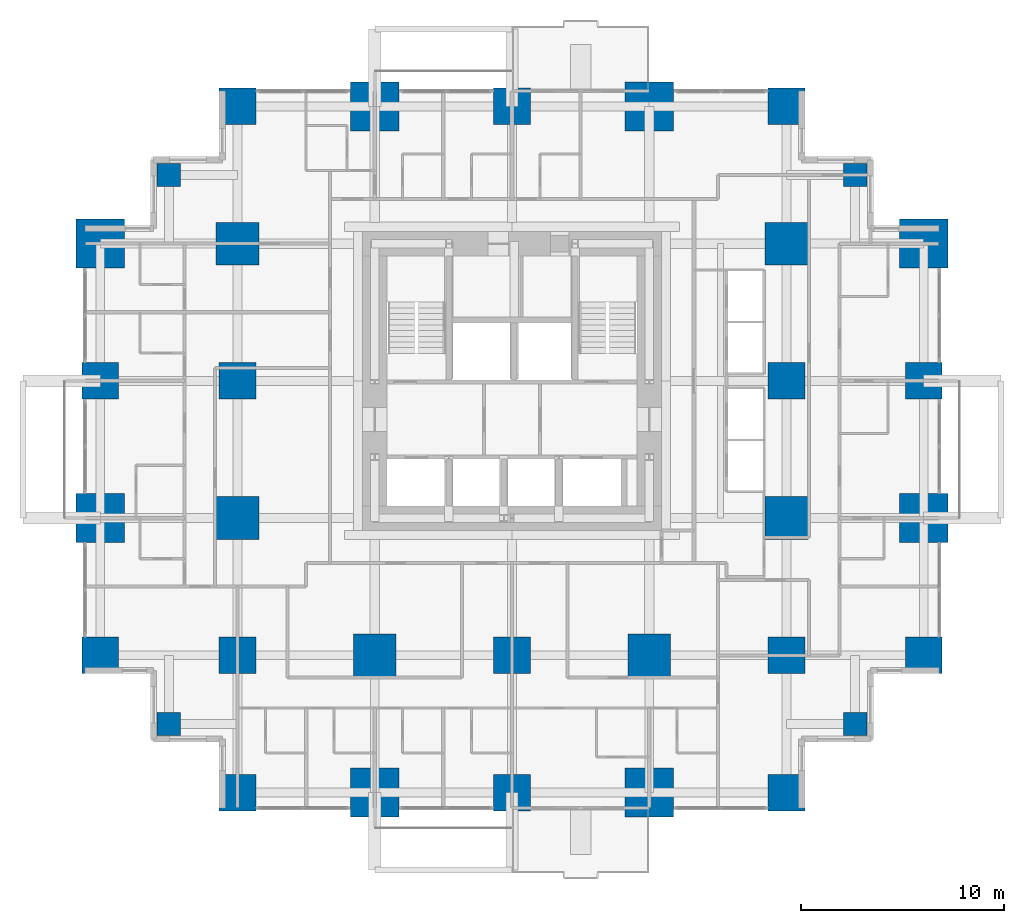
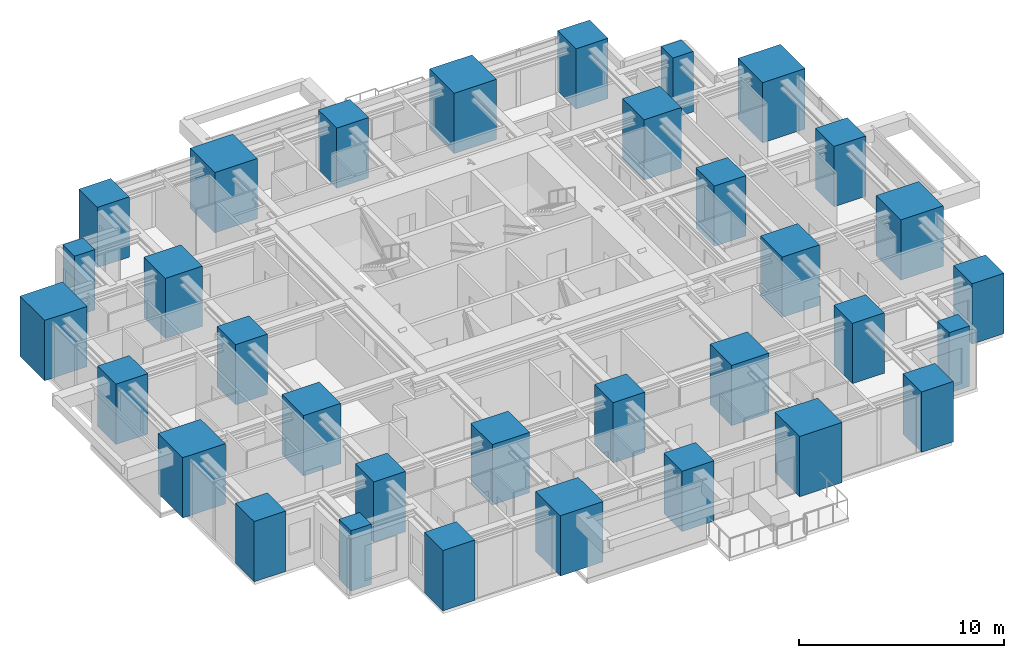
# One storey, part 1 of 13: 33 columns.
"""IFC4 building model written with IfcOpenShell, lengths in metres."""

from ifc_helpers import new_model, si_unit, direction, frame, origin, origin_2d, place, context, subcontext, project, spatial, rectangle, extrude, material, material_profile, profile_set, type_object, element, save


model = new_model("IFC4")

# Units and contexts
model_context = context("Model", 3, precision=1e-05, world=origin(), true_north=direction((0.0, 1.0)))
body_context = subcontext(model_context, "Body", "Model", "MODEL_VIEW")
ifc_project = project(units=[si_unit("LENGTHUNIT", "METRE"), si_unit("AREAUNIT", "SQUARE_METRE"), si_unit("VOLUMEUNIT", "CUBIC_METRE"), si_unit("PLANEANGLEUNIT", "RADIAN"), si_unit("MASSUNIT", "GRAM", prefix="KILO")], contexts=[model_context])

# Site, building, storey
site_placement = place(None, origin())
site = spatial("IfcSite", under=ifc_project, at=site_placement, CompositionType="ELEMENT")
building_placement = place(site_placement, origin())
building = spatial("IfcBuilding", under=site, at=building_placement, Name="Nyansa Garden Tower", CompositionType="ELEMENT")
storey_placement = place(building_placement, frame((0.0, 0.0, 83.699951171875)))
storey = spatial("IfcBuildingStorey", under=building, at=storey_placement, Name="L22", CompositionType="ELEMENT", Elevation=83.699951171875)

# Columns
ifc_material_1 = material(Name="Concrete C70/85", Category="concrete")
ifc_material_profile_1 = material_profile(ifc_material_1, rectangle(XDim=1.14990234375, YDim=1.14990234375, at=origin_2d()), Name="RC 1150x1150")
ifc_profile_set_1 = profile_set([ifc_material_profile_1], Name="Concrete C70/85")
column_type_1 = type_object("IfcColumnType", Name="Column C115 RC 1150x1150", PredefinedType="COLUMN", material=ifc_profile_set_1)
for number, where, z_axis, x_axis, name in (
    (1, (3.375, 3.375, 0.0), (0.0, 0.0, 1.0), (1.0, 0.0, 0.0), "Column x3.375/y3.375 L22"),
    (2, (3.375, 30.375, 0.0), (0.0, 0.0, 1.0), (1.0, 0.0, 0.0), "Column x3.375/y30.375 L22"),
    (3, (37.125, 3.375, 0.0), (0.0, 0.0, 1.0), (1.0, 0.0, 0.0), "Column x37.125/y3.375 L22"),
    (4, (37.125, 30.375, 0.0), (0.0, 0.0, 1.0), (1.0, 0.0, 0.0), "Column x37.125/y30.375 L22"),
):
    element("IfcColumn", number, at=place(storey_placement, frame(where, z_axis=z_axis, x_axis=x_axis)), inside=storey, type_object=column_type_1, Name=name, PredefinedType="COLUMN", context=body_context, shape_type="SweptSolid", body=[
        extrude(rectangle(XDim=1.14990234375, YDim=1.14990234375, at=origin_2d()), origin(), (0.0, 0.0, 1.0), 3.60009765625),
    ])
ifc_material_2 = material(Name="Concrete C80/95", Category="concrete")
ifc_material_profile_2 = material_profile(ifc_material_2, rectangle(XDim=1.800048828125, YDim=1.800048828125, at=origin_2d()), Name="RC 1800x1800")
ifc_profile_set_2 = profile_set([ifc_material_profile_2], Name="Concrete C80/95")
column_type_2 = type_object("IfcColumnType", Name="Column C180 RC 1800x1800", PredefinedType="COLUMN", material=ifc_profile_set_2)
for number, where, z_axis, x_axis, name in (
    (5, (0.0, 6.75, 0.0), (0.0, 0.0, 1.0), (1.0, 0.0, 0.0), "Column 2/E L22"),
    (6, (0.0, 20.25, 0.0), (0.0, 0.0, 1.0), (1.0, 0.0, 0.0), "Column 2/G L22"),
    (7, (6.75, 0.0, 0.0), (0.0, 0.0, 1.0), (1.0, 0.0, 0.0), "Column 3/D L22"),
    (8, (6.75, 6.75, 0.0), (0.0, 0.0, 1.0), (1.0, 0.0, 0.0), "Column 3/E L22"),
    (9, (6.75, 20.25, 0.0), (0.0, 0.0, 1.0), (1.0, 0.0, 0.0), "Column 3/G L22"),
    (10, (6.75, 33.75, 0.0), (0.0, 0.0, 1.0), (1.0, 0.0, 0.0), "Column 3/J L22"),
    (11, (20.25, 0.0, 0.0), (0.0, 0.0, 1.0), (1.0, 0.0, 0.0), "Column 5/D L22"),
    (12, (20.25, 6.75, 0.0), (0.0, 0.0, 1.0), (1.0, 0.0, 0.0), "Column 5/E L22"),
    (13, (20.25, 33.75, 0.0), (0.0, 0.0, 1.0), (1.0, 0.0, 0.0), "Column 5/J L22"),
    (14, (33.75, 0.0, 0.0), (0.0, 0.0, 1.0), (1.0, 0.0, 0.0), "Column 7/D L22"),
    (15, (33.75, 6.75, 0.0), (0.0, 0.0, 1.0), (1.0, 0.0, 0.0), "Column 7/E L22"),
    (16, (33.75, 20.25, 0.0), (0.0, 0.0, 1.0), (1.0, 0.0, 0.0), "Column 7/G L22"),
    (17, (33.75, 33.75, 0.0), (0.0, 0.0, 1.0), (1.0, 0.0, 0.0), "Column 7/J L22"),
    (18, (40.5, 6.75, 0.0), (0.0, 0.0, 1.0), (1.0, 0.0, 0.0), "Column 8/E L22"),
    (19, (40.5, 20.25, 0.0), (0.0, 0.0, 1.0), (1.0, 0.0, 0.0), "Column 8/G L22"),
):
    element("IfcColumn", number, at=place(storey_placement, frame(where, z_axis=z_axis, x_axis=x_axis)), inside=storey, type_object=column_type_2, Name=name, PredefinedType="COLUMN", context=body_context, shape_type="SweptSolid", body=[
        extrude(rectangle(XDim=1.800048828125, YDim=1.800048828125, at=origin_2d()), origin(), (0.0, 0.0, 1.0), 3.60009765625),
    ])
ifc_material_3 = material(Name="Concrete C80/95", Category="concrete")
ifc_material_profile_3 = material_profile(ifc_material_3, rectangle(XDim=2.10009765625, YDim=2.10009765625, at=origin_2d()), Name="RC 2100x2100")
ifc_profile_set_3 = profile_set([ifc_material_profile_3], Name="Concrete C80/95")
column_type_3 = type_object("IfcColumnType", Name="Column C210 RC 2100x2100", PredefinedType="COLUMN", material=ifc_profile_set_3)
for number, where, z_axis, x_axis, name in (
    (20, (6.75, 13.5, 0.0), (0.0, 0.0, 1.0), (1.0, 0.0, 0.0), "Column 3/F L22"),
    (21, (6.75, 27.0, 0.0), (0.0, 0.0, 1.0), (1.0, 0.0, 0.0), "Column 3/H L22"),
    (22, (13.5, 6.75, 0.0), (0.0, 0.0, 1.0), (1.0, 0.0, 0.0), "Column 4/E L22"),
    (23, (27.0, 6.75, 0.0), (0.0, 0.0, 1.0), (1.0, 0.0, 0.0), "Column 6/E L22"),
    (24, (33.75, 13.5, 0.0), (0.0, 0.0, 1.0), (1.0, 0.0, 0.0), "Column 7/F L22"),
    (25, (33.75, 27.0, 0.0), (0.0, 0.0, 1.0), (1.0, 0.0, 0.0), "Column 7/H L22"),
):
    element("IfcColumn", number, at=place(storey_placement, frame(where, z_axis=z_axis, x_axis=x_axis)), inside=storey, type_object=column_type_3, Name=name, PredefinedType="COLUMN", context=body_context, shape_type="SweptSolid", body=[
        extrude(rectangle(XDim=2.10009765625, YDim=2.10009765625, at=origin_2d()), origin(), (0.0, 0.0, 1.0), 3.60009765625),
    ])
ifc_material_4 = material(Name="Concrete C80/95", Category="concrete")
ifc_material_profile_4 = material_profile(ifc_material_4, rectangle(XDim=2.39990234375, YDim=2.39990234375, at=origin_2d()), Name="RC 2400x2400")
ifc_profile_set_4 = profile_set([ifc_material_profile_4], Name="Concrete C80/95")
column_type_4 = type_object("IfcColumnType", Name="Column C240 RC 2400x2400", PredefinedType="COLUMN", material=ifc_profile_set_4)
for number, where, z_axis, x_axis, name in (
    (26, (0.0, 13.5, 0.0), (0.0, 0.0, 1.0), (1.0, 0.0, 0.0), "Column 2/F L22"),
    (27, (0.0, 27.0, 0.0), (0.0, 0.0, 1.0), (1.0, 0.0, 0.0), "Column 2/H L22"),
    (28, (13.5, 0.0, 0.0), (0.0, 0.0, 1.0), (1.0, 0.0, 0.0), "Column 4/D L22"),
    (29, (13.5, 33.75, 0.0), (0.0, 0.0, 1.0), (1.0, 0.0, 0.0), "Column 4/J L22"),
    (30, (27.0, 0.0, 0.0), (0.0, 0.0, 1.0), (1.0, 0.0, 0.0), "Column 6/D L22"),
    (31, (27.0, 33.75, 0.0), (0.0, 0.0, 1.0), (1.0, 0.0, 0.0), "Column 6/J L22"),
    (32, (40.5, 13.5, 0.0), (0.0, 0.0, 1.0), (1.0, 0.0, 0.0), "Column 8/F L22"),
    (33, (40.5, 27.0, 0.0), (0.0, 0.0, 1.0), (1.0, 0.0, 0.0), "Column 8/H L22"),
):
    element("IfcColumn", number, at=place(storey_placement, frame(where, z_axis=z_axis, x_axis=x_axis)), inside=storey, type_object=column_type_4, Name=name, PredefinedType="COLUMN", context=body_context, shape_type="SweptSolid", body=[
        extrude(rectangle(XDim=2.39990234375, YDim=2.39990234375, at=origin_2d()), origin(), (0.0, 0.0, 1.0), 3.60009765625),
    ])

save(model, "model.ifc")
